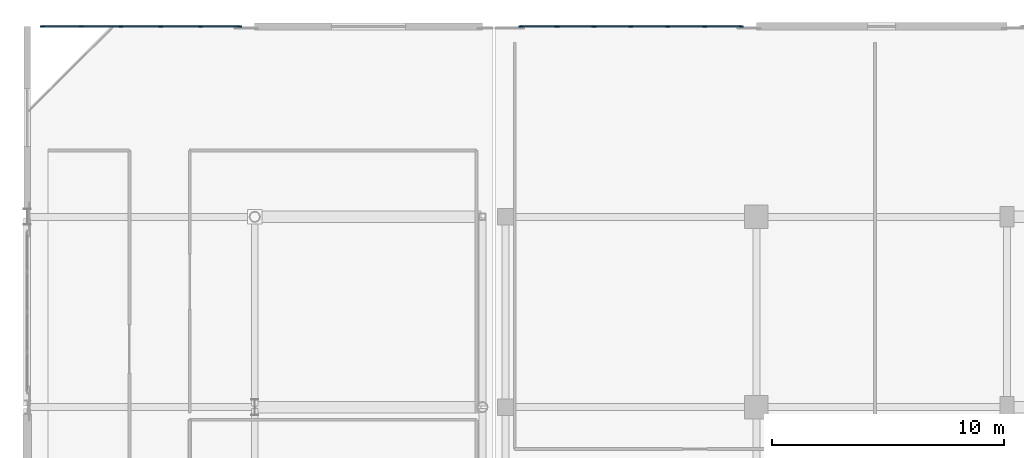
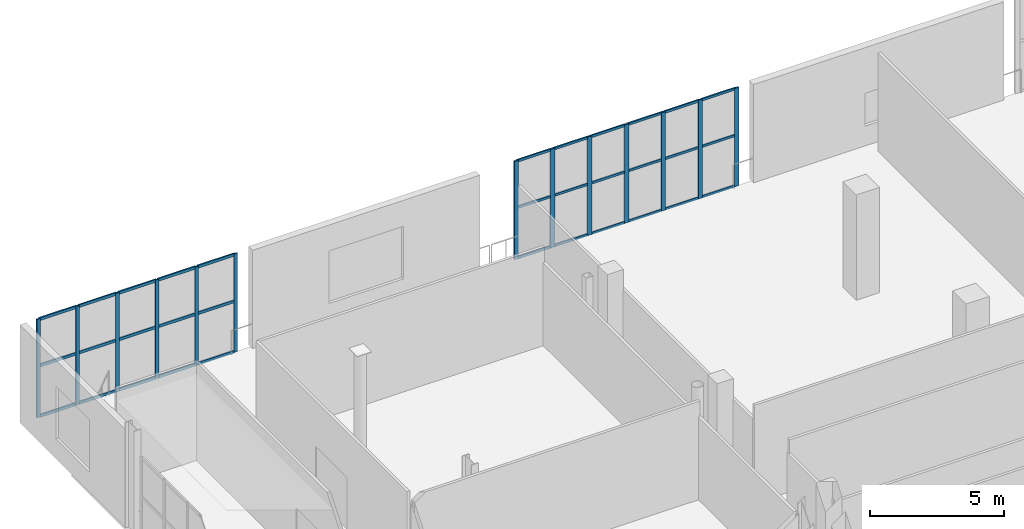
# One storey, part 62 of 142: 46 members, 2 elements without a shape of their own.
"""IFC4 building model written with IfcOpenShell, lengths in metres."""

from ifc_helpers import new_model, si_unit, direction, frame, origin, origin_2d, place, context, subcontext, project, spatial, rectangle, extrude, material, material_profile, profile_set, type_object, element, aggregate, save


model = new_model("IFC4")

# Units and contexts
model_context = context("Model", 3, precision=1e-05, world=origin(), true_north=direction((0.0, 1.0)))
body_context = subcontext(model_context, "Body", "Model", "MODEL_VIEW")
ifc_project = project(units=[si_unit("LENGTHUNIT", "METRE"), si_unit("AREAUNIT", "SQUARE_METRE"), si_unit("VOLUMEUNIT", "CUBIC_METRE"), si_unit("PLANEANGLEUNIT", "RADIAN"), si_unit("MASSUNIT", "GRAM", prefix="KILO")], contexts=[model_context])

# Site, building, storey
site_placement = place(None, origin())
site = spatial("IfcSite", under=ifc_project, at=site_placement, CompositionType="ELEMENT")
building_placement = place(site_placement, origin())
building = spatial("IfcBuilding", under=site, at=building_placement, Name="Koshinbarg Plaza Stadium", CompositionType="ELEMENT")
storey_placement = place(building_placement, frame((0.0, 0.0, 10.199951171875)))
storey = spatial("IfcBuildingStorey", under=building, at=storey_placement, Name="L02", CompositionType="ELEMENT", Elevation=10.199951171875)

# Curtain wall, members
ifc_material_1 = material(Name="Thermally broken anodised aluminium and low-E double glazing", Category="aluminium")
curtain_wall_type_1 = type_object("IfcCurtainWallType", Name="CW-SYS-14", PredefinedType="NOTDEFINED", material=ifc_material_1)
curtain_wall_1_placement = place(storey_placement, origin())
curtain_wall_1 = element("IfcCurtainWall", 1, at=curtain_wall_1_placement, inside=storey, type_object=curtain_wall_type_1, Name="L02 unitised curtain wall CW-L02-045", PredefinedType="NOTDEFINED")
ifc_material_2 = material(Name="Anodised aluminium mullion", Category="aluminium")
ifc_material_profile_1 = material_profile(ifc_material_2, rectangle(XDim=0.06005859375, YDim=0.159912109375, at=origin_2d()), Name="ALU 60x160")
ifc_profile_set_1 = profile_set([ifc_material_profile_1], Name="Anodised aluminium mullion")
member_type_1 = type_object("IfcMemberType", Name="CW-MUL-02", PredefinedType="MULLION", material=ifc_profile_set_1)
member_1_placement = place(storey_placement, frame((4.64990234375, 152.0, 0.0), z_axis=(0.0, 0.0, 1.0), x_axis=(0.0, 1.0, 0.0)))
member_1 = element("IfcMember", 2, at=member_1_placement, type_object=member_type_1, Name="CW14 mullion 1", PredefinedType="MULLION", context=body_context, shape_type="SweptSolid", body=[
    extrude(rectangle(XDim=0.06005859375, YDim=0.159912109375, at=origin_2d()), origin(), (0.0, 0.0, 1.0), 4.47998046875),
])
member_2_placement = place(storey_placement, frame((6.33203125, 152.0, 0.0), z_axis=(0.0, 0.0, 1.0), x_axis=(0.0, 1.0, 0.0)))
member_2 = element("IfcMember", 3, at=member_2_placement, type_object=member_type_1, Name="CW14 mullion 2", PredefinedType="MULLION", context=body_context, shape_type="SweptSolid", body=[
    extrude(rectangle(XDim=0.06005859375, YDim=0.159912109375, at=origin_2d()), origin(), (0.0, 0.0, 1.0), 4.47998046875),
])
member_3_placement = place(storey_placement, frame((8.0439453125, 152.0, 0.0), z_axis=(0.0, 0.0, 1.0), x_axis=(0.0, 1.0, 0.0)))
member_3 = element("IfcMember", 4, at=member_3_placement, type_object=member_type_1, Name="CW14 mullion 3", PredefinedType="MULLION", context=body_context, shape_type="SweptSolid", body=[
    extrude(rectangle(XDim=0.06005859375, YDim=0.159912109375, at=origin_2d()), origin(), (0.0, 0.0, 1.0), 4.47998046875),
])
member_4_placement = place(storey_placement, frame((9.756103515625, 152.0, 0.0), z_axis=(0.0, 0.0, 1.0), x_axis=(0.0, 1.0, 0.0)))
member_4 = element("IfcMember", 5, at=member_4_placement, type_object=member_type_1, Name="CW14 mullion 4", PredefinedType="MULLION", context=body_context, shape_type="SweptSolid", body=[
    extrude(rectangle(XDim=0.06005859375, YDim=0.159912109375, at=origin_2d()), origin(), (0.0, 0.0, 1.0), 4.47998046875),
])
member_5_placement = place(storey_placement, frame((11.468017578125, 152.0, 0.0), z_axis=(0.0, 0.0, 1.0), x_axis=(0.0, 1.0, 0.0)))
member_5 = element("IfcMember", 6, at=member_5_placement, type_object=member_type_1, Name="CW14 mullion 5", PredefinedType="MULLION", context=body_context, shape_type="SweptSolid", body=[
    extrude(rectangle(XDim=0.06005859375, YDim=0.159912109375, at=origin_2d()), origin(), (0.0, 0.0, 1.0), 4.47998046875),
])
member_6_placement = place(storey_placement, frame((13.14990234375, 152.0, 0.0), z_axis=(0.0, 0.0, 1.0), x_axis=(0.0, 1.0, 0.0)))
member_6 = element("IfcMember", 7, at=member_6_placement, type_object=member_type_1, Name="CW14 mullion 6", PredefinedType="MULLION", context=body_context, shape_type="SweptSolid", body=[
    extrude(rectangle(XDim=0.06005859375, YDim=0.159912109375, at=origin_2d()), origin(), (0.0, 0.0, 1.0), 4.47998046875),
])

curtain_wall_type_2 = type_object("IfcCurtainWallType", Name="CW-SYS-15", PredefinedType="NOTDEFINED", material=ifc_material_1)
curtain_wall_2_placement = place(storey_placement, origin())
curtain_wall_2 = element("IfcCurtainWall", 8, at=curtain_wall_2_placement, inside=storey, type_object=curtain_wall_type_2, Name="L02 unitised curtain wall CW-L02-046", PredefinedType="NOTDEFINED")
ifc_material_profile_2 = material_profile(ifc_material_2, rectangle(XDim=0.070068359375, YDim=0.179931640625, at=origin_2d()), Name="ALU 70x180")
ifc_profile_set_2 = profile_set([ifc_material_profile_2], Name="Anodised aluminium mullion")
member_type_2 = type_object("IfcMemberType", Name="CW-MUL-03", PredefinedType="MULLION", material=ifc_profile_set_2)
member_7_placement = place(storey_placement, frame((25.25, 152.0, 0.0), z_axis=(0.0, 0.0, 1.0), x_axis=(0.0, 1.0, 0.0)))
member_7 = element("IfcMember", 9, at=member_7_placement, type_object=member_type_2, Name="CW15 mullion 1", PredefinedType="MULLION", context=body_context, shape_type="SweptSolid", body=[
    extrude(rectangle(XDim=0.070068359375, YDim=0.179931640625, at=origin_2d()), origin(), (0.0, 0.0, 1.0), 4.47998046875),
])
member_8_placement = place(storey_placement, frame((26.813232421875, 152.0, 0.0), z_axis=(0.0, 0.0, 1.0), x_axis=(0.0, 1.0, 0.0)))
member_8 = element("IfcMember", 10, at=member_8_placement, type_object=member_type_2, Name="CW15 mullion 2", PredefinedType="MULLION", context=body_context, shape_type="SweptSolid", body=[
    extrude(rectangle(XDim=0.070068359375, YDim=0.179931640625, at=origin_2d()), origin(), (0.0, 0.0, 1.0), 4.47998046875),
])
member_9_placement = place(storey_placement, frame((28.40673828125, 152.0, 0.0), z_axis=(0.0, 0.0, 1.0), x_axis=(0.0, 1.0, 0.0)))
member_9 = element("IfcMember", 11, at=member_9_placement, type_object=member_type_2, Name="CW15 mullion 3", PredefinedType="MULLION", context=body_context, shape_type="SweptSolid", body=[
    extrude(rectangle(XDim=0.070068359375, YDim=0.179931640625, at=origin_2d()), origin(), (0.0, 0.0, 1.0), 4.47998046875),
])
member_10_placement = place(storey_placement, frame((30.0, 152.0, 0.0), z_axis=(0.0, 0.0, 1.0), x_axis=(0.0, 1.0, 0.0)))
member_10 = element("IfcMember", 12, at=member_10_placement, type_object=member_type_2, Name="CW15 mullion 4", PredefinedType="MULLION", context=body_context, shape_type="SweptSolid", body=[
    extrude(rectangle(XDim=0.070068359375, YDim=0.179931640625, at=origin_2d()), origin(), (0.0, 0.0, 1.0), 4.47998046875),
])
member_11_placement = place(storey_placement, frame((31.59326171875, 152.0, 0.0), z_axis=(0.0, 0.0, 1.0), x_axis=(0.0, 1.0, 0.0)))
member_11 = element("IfcMember", 13, at=member_11_placement, type_object=member_type_2, Name="CW15 mullion 5", PredefinedType="MULLION", context=body_context, shape_type="SweptSolid", body=[
    extrude(rectangle(XDim=0.070068359375, YDim=0.179931640625, at=origin_2d()), origin(), (0.0, 0.0, 1.0), 4.47998046875),
])
member_12_placement = place(storey_placement, frame((33.186767578125, 152.0, 0.0), z_axis=(0.0, 0.0, 1.0), x_axis=(0.0, 1.0, 0.0)))
member_12 = element("IfcMember", 14, at=member_12_placement, type_object=member_type_2, Name="CW15 mullion 6", PredefinedType="MULLION", context=body_context, shape_type="SweptSolid", body=[
    extrude(rectangle(XDim=0.070068359375, YDim=0.179931640625, at=origin_2d()), origin(), (0.0, 0.0, 1.0), 4.47998046875),
])
member_13_placement = place(storey_placement, frame((34.75, 152.0, 0.0), z_axis=(0.0, 0.0, 1.0), x_axis=(0.0, 1.0, 0.0)))
member_13 = element("IfcMember", 15, at=member_13_placement, type_object=member_type_2, Name="CW15 mullion 7", PredefinedType="MULLION", context=body_context, shape_type="SweptSolid", body=[
    extrude(rectangle(XDim=0.070068359375, YDim=0.179931640625, at=origin_2d()), origin(), (0.0, 0.0, 1.0), 4.47998046875),
])
ifc_material_3 = material(Name="Anodised aluminium transom", Category="aluminium")
ifc_material_profile_3 = material_profile(ifc_material_3, rectangle(XDim=0.06005859375, YDim=0.110107421875, at=origin_2d()), Name="ALU 60x110")
ifc_profile_set_3 = profile_set([ifc_material_profile_3], Name="Anodised aluminium transom")
member_type_3 = type_object("IfcMemberType", Name="CW-TRN-01", PredefinedType="USERDEFINED", material=ifc_profile_set_3)
member_14_placement = place(storey_placement, frame((25.280029296875, 152.0, 0.030029296875), z_axis=(1.0, 0.0, 0.0), x_axis=(0.0, 1.0, 0.0)))
member_14 = element("IfcMember", 16, at=member_14_placement, type_object=member_type_3, Name="CW15 transom 1.1", ObjectType="TRANSOM", PredefinedType="USERDEFINED", context=body_context, shape_type="SweptSolid", body=[
    extrude(rectangle(XDim=0.06005859375, YDim=0.110107421875, at=origin_2d()), origin(), (0.0, 0.0, 1.0), 1.50341796875),
])
member_15_placement = place(storey_placement, frame((25.280029296875, 152.0, 2.32958984375), z_axis=(1.0, 0.0, 0.0), x_axis=(0.0, 1.0, 0.0)))
member_15 = element("IfcMember", 17, at=member_15_placement, type_object=member_type_3, Name="CW15 transom 1.2", ObjectType="TRANSOM", PredefinedType="USERDEFINED", context=body_context, shape_type="SweptSolid", body=[
    extrude(rectangle(XDim=0.06005859375, YDim=0.110107421875, at=origin_2d()), origin(), (0.0, 0.0, 1.0), 1.50341796875),
])
member_16_placement = place(storey_placement, frame((25.280029296875, 152.0, 4.449951171875), z_axis=(1.0, 0.0, 0.0), x_axis=(0.0, 1.0, 0.0)))
member_16 = element("IfcMember", 18, at=member_16_placement, type_object=member_type_3, Name="CW15 transom 1.3", ObjectType="TRANSOM", PredefinedType="USERDEFINED", context=body_context, shape_type="SweptSolid", body=[
    extrude(rectangle(XDim=0.06005859375, YDim=0.110107421875, at=origin_2d()), origin(), (0.0, 0.0, 1.0), 1.50341796875),
])
member_17_placement = place(storey_placement, frame((26.84326171875, 152.0, 0.030029296875), z_axis=(1.0, 0.0, 0.0), x_axis=(0.0, 1.0, 0.0)))
member_17 = element("IfcMember", 19, at=member_17_placement, type_object=member_type_3, Name="CW15 transom 2.1", ObjectType="TRANSOM", PredefinedType="USERDEFINED", context=body_context, shape_type="SweptSolid", body=[
    extrude(rectangle(XDim=0.06005859375, YDim=0.110107421875, at=origin_2d()), origin(), (0.0, 0.0, 1.0), 1.533447265625),
])
member_18_placement = place(storey_placement, frame((26.84326171875, 152.0, 2.32958984375), z_axis=(1.0, 0.0, 0.0), x_axis=(0.0, 1.0, 0.0)))
member_18 = element("IfcMember", 20, at=member_18_placement, type_object=member_type_3, Name="CW15 transom 2.2", ObjectType="TRANSOM", PredefinedType="USERDEFINED", context=body_context, shape_type="SweptSolid", body=[
    extrude(rectangle(XDim=0.06005859375, YDim=0.110107421875, at=origin_2d()), origin(), (0.0, 0.0, 1.0), 1.533447265625),
])
member_19_placement = place(storey_placement, frame((26.84326171875, 152.0, 4.449951171875), z_axis=(1.0, 0.0, 0.0), x_axis=(0.0, 1.0, 0.0)))
member_19 = element("IfcMember", 21, at=member_19_placement, type_object=member_type_3, Name="CW15 transom 2.3", ObjectType="TRANSOM", PredefinedType="USERDEFINED", context=body_context, shape_type="SweptSolid", body=[
    extrude(rectangle(XDim=0.06005859375, YDim=0.110107421875, at=origin_2d()), origin(), (0.0, 0.0, 1.0), 1.533447265625),
])
member_20_placement = place(storey_placement, frame((28.436767578125, 152.0, 0.030029296875), z_axis=(1.0, 0.0, 0.0), x_axis=(0.0, 1.0, 0.0)))
member_20 = element("IfcMember", 22, at=member_20_placement, type_object=member_type_3, Name="CW15 transom 3.1", ObjectType="TRANSOM", PredefinedType="USERDEFINED", context=body_context, shape_type="SweptSolid", body=[
    extrude(rectangle(XDim=0.06005859375, YDim=0.110107421875, at=origin_2d()), origin(), (0.0, 0.0, 1.0), 1.533203125),
])
member_21_placement = place(storey_placement, frame((28.436767578125, 152.0, 2.32958984375), z_axis=(1.0, 0.0, 0.0), x_axis=(0.0, 1.0, 0.0)))
member_21 = element("IfcMember", 23, at=member_21_placement, type_object=member_type_3, Name="CW15 transom 3.2", ObjectType="TRANSOM", PredefinedType="USERDEFINED", context=body_context, shape_type="SweptSolid", body=[
    extrude(rectangle(XDim=0.06005859375, YDim=0.110107421875, at=origin_2d()), origin(), (0.0, 0.0, 1.0), 1.533203125),
])
member_22_placement = place(storey_placement, frame((28.436767578125, 152.0, 4.449951171875), z_axis=(1.0, 0.0, 0.0), x_axis=(0.0, 1.0, 0.0)))
member_22 = element("IfcMember", 24, at=member_22_placement, type_object=member_type_3, Name="CW15 transom 3.3", ObjectType="TRANSOM", PredefinedType="USERDEFINED", context=body_context, shape_type="SweptSolid", body=[
    extrude(rectangle(XDim=0.06005859375, YDim=0.110107421875, at=origin_2d()), origin(), (0.0, 0.0, 1.0), 1.533203125),
])
member_23_placement = place(storey_placement, frame((30.030029296875, 152.0, 0.030029296875), z_axis=(1.0, 0.0, 0.0), x_axis=(0.0, 1.0, 0.0)))
member_23 = element("IfcMember", 25, at=member_23_placement, type_object=member_type_3, Name="CW15 transom 4.1", ObjectType="TRANSOM", PredefinedType="USERDEFINED", context=body_context, shape_type="SweptSolid", body=[
    extrude(rectangle(XDim=0.06005859375, YDim=0.110107421875, at=origin_2d()), origin(), (0.0, 0.0, 1.0), 1.533203125),
])
member_24_placement = place(storey_placement, frame((30.030029296875, 152.0, 2.32958984375), z_axis=(1.0, 0.0, 0.0), x_axis=(0.0, 1.0, 0.0)))
member_24 = element("IfcMember", 26, at=member_24_placement, type_object=member_type_3, Name="CW15 transom 4.2", ObjectType="TRANSOM", PredefinedType="USERDEFINED", context=body_context, shape_type="SweptSolid", body=[
    extrude(rectangle(XDim=0.06005859375, YDim=0.110107421875, at=origin_2d()), origin(), (0.0, 0.0, 1.0), 1.533203125),
])
member_25_placement = place(storey_placement, frame((30.030029296875, 152.0, 4.449951171875), z_axis=(1.0, 0.0, 0.0), x_axis=(0.0, 1.0, 0.0)))
member_25 = element("IfcMember", 27, at=member_25_placement, type_object=member_type_3, Name="CW15 transom 4.3", ObjectType="TRANSOM", PredefinedType="USERDEFINED", context=body_context, shape_type="SweptSolid", body=[
    extrude(rectangle(XDim=0.06005859375, YDim=0.110107421875, at=origin_2d()), origin(), (0.0, 0.0, 1.0), 1.533203125),
])
member_26_placement = place(storey_placement, frame((31.623291015625, 152.0, 0.030029296875), z_axis=(1.0, 0.0, 0.0), x_axis=(0.0, 1.0, 0.0)))
member_26 = element("IfcMember", 28, at=member_26_placement, type_object=member_type_3, Name="CW15 transom 5.1", ObjectType="TRANSOM", PredefinedType="USERDEFINED", context=body_context, shape_type="SweptSolid", body=[
    extrude(rectangle(XDim=0.06005859375, YDim=0.110107421875, at=origin_2d()), origin(), (0.0, 0.0, 1.0), 1.533447265625),
])
member_27_placement = place(storey_placement, frame((31.623291015625, 152.0, 2.32958984375), z_axis=(1.0, 0.0, 0.0), x_axis=(0.0, 1.0, 0.0)))
member_27 = element("IfcMember", 29, at=member_27_placement, type_object=member_type_3, Name="CW15 transom 5.2", ObjectType="TRANSOM", PredefinedType="USERDEFINED", context=body_context, shape_type="SweptSolid", body=[
    extrude(rectangle(XDim=0.06005859375, YDim=0.110107421875, at=origin_2d()), origin(), (0.0, 0.0, 1.0), 1.533447265625),
])
member_28_placement = place(storey_placement, frame((31.623291015625, 152.0, 4.449951171875), z_axis=(1.0, 0.0, 0.0), x_axis=(0.0, 1.0, 0.0)))
member_28 = element("IfcMember", 30, at=member_28_placement, type_object=member_type_3, Name="CW15 transom 5.3", ObjectType="TRANSOM", PredefinedType="USERDEFINED", context=body_context, shape_type="SweptSolid", body=[
    extrude(rectangle(XDim=0.06005859375, YDim=0.110107421875, at=origin_2d()), origin(), (0.0, 0.0, 1.0), 1.533447265625),
])
member_29_placement = place(storey_placement, frame((33.216552734375, 152.0, 0.030029296875), z_axis=(1.0, 0.0, 0.0), x_axis=(0.0, 1.0, 0.0)))
member_29 = element("IfcMember", 31, at=member_29_placement, type_object=member_type_3, Name="CW15 transom 6.1", ObjectType="TRANSOM", PredefinedType="USERDEFINED", context=body_context, shape_type="SweptSolid", body=[
    extrude(rectangle(XDim=0.06005859375, YDim=0.110107421875, at=origin_2d()), origin(), (0.0, 0.0, 1.0), 1.50341796875),
])
member_30_placement = place(storey_placement, frame((33.216552734375, 152.0, 2.32958984375), z_axis=(1.0, 0.0, 0.0), x_axis=(0.0, 1.0, 0.0)))
member_30 = element("IfcMember", 32, at=member_30_placement, type_object=member_type_3, Name="CW15 transom 6.2", ObjectType="TRANSOM", PredefinedType="USERDEFINED", context=body_context, shape_type="SweptSolid", body=[
    extrude(rectangle(XDim=0.06005859375, YDim=0.110107421875, at=origin_2d()), origin(), (0.0, 0.0, 1.0), 1.50341796875),
])
member_31_placement = place(storey_placement, frame((33.216552734375, 152.0, 4.449951171875), z_axis=(1.0, 0.0, 0.0), x_axis=(0.0, 1.0, 0.0)))
member_31 = element("IfcMember", 33, at=member_31_placement, type_object=member_type_3, Name="CW15 transom 6.3", ObjectType="TRANSOM", PredefinedType="USERDEFINED", context=body_context, shape_type="SweptSolid", body=[
    extrude(rectangle(XDim=0.06005859375, YDim=0.110107421875, at=origin_2d()), origin(), (0.0, 0.0, 1.0), 1.50341796875),
])
aggregate(curtain_wall_2, [member_7, member_8, member_9, member_10, member_11, member_12, member_13, member_14, member_15, member_16, member_17, member_18, member_19, member_20, member_21, member_22, member_23, member_24, member_25, member_26, member_27, member_28, member_29, member_30, member_31])

# Member
ifc_material_profile_4 = material_profile(ifc_material_3, rectangle(XDim=0.06005859375, YDim=0.1298828125, at=origin_2d()), Name="ALU 60x130")
ifc_profile_set_4 = profile_set([ifc_material_profile_4], Name="Anodised aluminium transom")
member_type_4 = type_object("IfcMemberType", Name="CW-TRN-02", PredefinedType="USERDEFINED", material=ifc_profile_set_4)
member_32_placement = place(storey_placement, frame((4.679931640625, 152.0, 0.030029296875), z_axis=(1.0, 0.0, 0.0), x_axis=(0.0, 1.0, 0.0)))
member_32 = element("IfcMember", 34, at=member_32_placement, type_object=member_type_4, Name="CW14 transom 1.1", ObjectType="TRANSOM", PredefinedType="USERDEFINED", context=body_context, shape_type="SweptSolid", body=[
    extrude(rectangle(XDim=0.06005859375, YDim=0.1298828125, at=origin_2d()), origin(), (0.0, 0.0, 1.0), 1.6220703125),
])

member_33_placement = place(storey_placement, frame((4.679931640625, 152.0, 2.32958984375), z_axis=(1.0, 0.0, 0.0), x_axis=(0.0, 1.0, 0.0)))
member_33 = element("IfcMember", 35, at=member_33_placement, type_object=member_type_4, Name="CW14 transom 1.2", ObjectType="TRANSOM", PredefinedType="USERDEFINED", context=body_context, shape_type="SweptSolid", body=[
    extrude(rectangle(XDim=0.06005859375, YDim=0.1298828125, at=origin_2d()), origin(), (0.0, 0.0, 1.0), 1.6220703125),
])

member_34_placement = place(storey_placement, frame((4.679931640625, 152.0, 4.449951171875), z_axis=(1.0, 0.0, 0.0), x_axis=(0.0, 1.0, 0.0)))
member_34 = element("IfcMember", 36, at=member_34_placement, type_object=member_type_4, Name="CW14 transom 1.3", ObjectType="TRANSOM", PredefinedType="USERDEFINED", context=body_context, shape_type="SweptSolid", body=[
    extrude(rectangle(XDim=0.06005859375, YDim=0.1298828125, at=origin_2d()), origin(), (0.0, 0.0, 1.0), 1.6220703125),
])

member_35_placement = place(storey_placement, frame((6.362060546875, 152.0, 0.030029296875), z_axis=(1.0, 0.0, 0.0), x_axis=(0.0, 1.0, 0.0)))
member_35 = element("IfcMember", 37, at=member_35_placement, type_object=member_type_4, Name="CW14 transom 2.1", ObjectType="TRANSOM", PredefinedType="USERDEFINED", context=body_context, shape_type="SweptSolid", body=[
    extrude(rectangle(XDim=0.06005859375, YDim=0.1298828125, at=origin_2d()), origin(), (0.0, 0.0, 1.0), 1.65185546875),
])

member_36_placement = place(storey_placement, frame((6.362060546875, 152.0, 2.32958984375), z_axis=(1.0, 0.0, 0.0), x_axis=(0.0, 1.0, 0.0)))
member_36 = element("IfcMember", 38, at=member_36_placement, type_object=member_type_4, Name="CW14 transom 2.2", ObjectType="TRANSOM", PredefinedType="USERDEFINED", context=body_context, shape_type="SweptSolid", body=[
    extrude(rectangle(XDim=0.06005859375, YDim=0.1298828125, at=origin_2d()), origin(), (0.0, 0.0, 1.0), 1.65185546875),
])

member_37_placement = place(storey_placement, frame((6.362060546875, 152.0, 4.449951171875), z_axis=(1.0, 0.0, 0.0), x_axis=(0.0, 1.0, 0.0)))
member_37 = element("IfcMember", 39, at=member_37_placement, type_object=member_type_4, Name="CW14 transom 2.3", ObjectType="TRANSOM", PredefinedType="USERDEFINED", context=body_context, shape_type="SweptSolid", body=[
    extrude(rectangle(XDim=0.06005859375, YDim=0.1298828125, at=origin_2d()), origin(), (0.0, 0.0, 1.0), 1.65185546875),
])

member_38_placement = place(storey_placement, frame((8.073974609375, 152.0, 0.030029296875), z_axis=(1.0, 0.0, 0.0), x_axis=(0.0, 1.0, 0.0)))
member_38 = element("IfcMember", 40, at=member_38_placement, type_object=member_type_4, Name="CW14 transom 3.1", ObjectType="TRANSOM", PredefinedType="USERDEFINED", context=body_context, shape_type="SweptSolid", body=[
    extrude(rectangle(XDim=0.06005859375, YDim=0.1298828125, at=origin_2d()), origin(), (0.0, 0.0, 1.0), 1.652099609375),
])

member_39_placement = place(storey_placement, frame((8.073974609375, 152.0, 2.32958984375), z_axis=(1.0, 0.0, 0.0), x_axis=(0.0, 1.0, 0.0)))
member_39 = element("IfcMember", 41, at=member_39_placement, type_object=member_type_4, Name="CW14 transom 3.2", ObjectType="TRANSOM", PredefinedType="USERDEFINED", context=body_context, shape_type="SweptSolid", body=[
    extrude(rectangle(XDim=0.06005859375, YDim=0.1298828125, at=origin_2d()), origin(), (0.0, 0.0, 1.0), 1.652099609375),
])

member_40_placement = place(storey_placement, frame((8.073974609375, 152.0, 4.449951171875), z_axis=(1.0, 0.0, 0.0), x_axis=(0.0, 1.0, 0.0)))
member_40 = element("IfcMember", 42, at=member_40_placement, type_object=member_type_4, Name="CW14 transom 3.3", ObjectType="TRANSOM", PredefinedType="USERDEFINED", context=body_context, shape_type="SweptSolid", body=[
    extrude(rectangle(XDim=0.06005859375, YDim=0.1298828125, at=origin_2d()), origin(), (0.0, 0.0, 1.0), 1.652099609375),
])

member_41_placement = place(storey_placement, frame((9.785888671875, 152.0, 0.030029296875), z_axis=(1.0, 0.0, 0.0), x_axis=(0.0, 1.0, 0.0)))
member_41 = element("IfcMember", 43, at=member_41_placement, type_object=member_type_4, Name="CW14 transom 4.1", ObjectType="TRANSOM", PredefinedType="USERDEFINED", context=body_context, shape_type="SweptSolid", body=[
    extrude(rectangle(XDim=0.06005859375, YDim=0.1298828125, at=origin_2d()), origin(), (0.0, 0.0, 1.0), 1.652099609375),
])

member_42_placement = place(storey_placement, frame((9.785888671875, 152.0, 2.32958984375), z_axis=(1.0, 0.0, 0.0), x_axis=(0.0, 1.0, 0.0)))
member_42 = element("IfcMember", 44, at=member_42_placement, type_object=member_type_4, Name="CW14 transom 4.2", ObjectType="TRANSOM", PredefinedType="USERDEFINED", context=body_context, shape_type="SweptSolid", body=[
    extrude(rectangle(XDim=0.06005859375, YDim=0.1298828125, at=origin_2d()), origin(), (0.0, 0.0, 1.0), 1.652099609375),
])

member_43_placement = place(storey_placement, frame((9.785888671875, 152.0, 4.449951171875), z_axis=(1.0, 0.0, 0.0), x_axis=(0.0, 1.0, 0.0)))
member_43 = element("IfcMember", 45, at=member_43_placement, type_object=member_type_4, Name="CW14 transom 4.3", ObjectType="TRANSOM", PredefinedType="USERDEFINED", context=body_context, shape_type="SweptSolid", body=[
    extrude(rectangle(XDim=0.06005859375, YDim=0.1298828125, at=origin_2d()), origin(), (0.0, 0.0, 1.0), 1.652099609375),
])

member_44_placement = place(storey_placement, frame((11.498046875, 152.0, 0.030029296875), z_axis=(1.0, 0.0, 0.0), x_axis=(0.0, 1.0, 0.0)))
member_44 = element("IfcMember", 46, at=member_44_placement, type_object=member_type_4, Name="CW14 transom 5.1", ObjectType="TRANSOM", PredefinedType="USERDEFINED", context=body_context, shape_type="SweptSolid", body=[
    extrude(rectangle(XDim=0.06005859375, YDim=0.1298828125, at=origin_2d()), origin(), (0.0, 0.0, 1.0), 1.6220703125),
])

member_45_placement = place(storey_placement, frame((11.498046875, 152.0, 2.32958984375), z_axis=(1.0, 0.0, 0.0), x_axis=(0.0, 1.0, 0.0)))
member_45 = element("IfcMember", 47, at=member_45_placement, type_object=member_type_4, Name="CW14 transom 5.2", ObjectType="TRANSOM", PredefinedType="USERDEFINED", context=body_context, shape_type="SweptSolid", body=[
    extrude(rectangle(XDim=0.06005859375, YDim=0.1298828125, at=origin_2d()), origin(), (0.0, 0.0, 1.0), 1.6220703125),
])

member_46_placement = place(storey_placement, frame((11.498046875, 152.0, 4.449951171875), z_axis=(1.0, 0.0, 0.0), x_axis=(0.0, 1.0, 0.0)))
member_46 = element("IfcMember", 48, at=member_46_placement, type_object=member_type_4, Name="CW14 transom 5.3", ObjectType="TRANSOM", PredefinedType="USERDEFINED", context=body_context, shape_type="SweptSolid", body=[
    extrude(rectangle(XDim=0.06005859375, YDim=0.1298828125, at=origin_2d()), origin(), (0.0, 0.0, 1.0), 1.6220703125),
])

aggregate(curtain_wall_1, [member_1, member_2, member_3, member_4, member_5, member_6, member_32, member_33, member_34, member_35, member_36, member_37, member_38, member_39, member_40, member_41, member_42, member_43, member_44, member_45, member_46])

save(model, "model.ifc")
